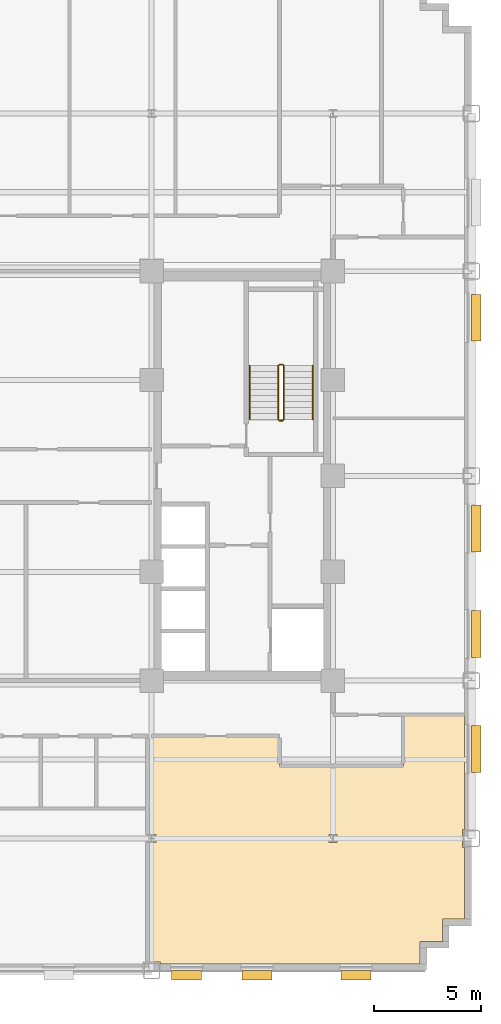
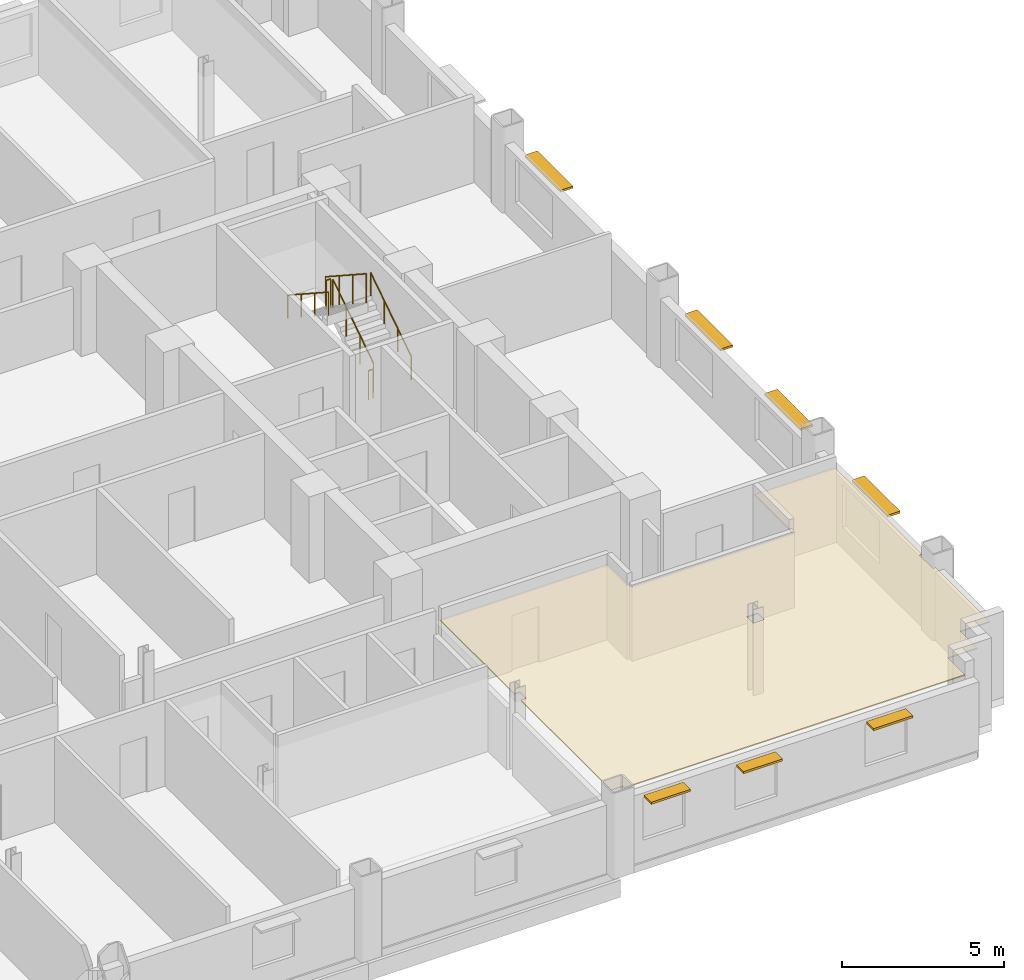
# One storey, part 13 of 14: 7 shading devices, 6 railings, 1 covering.
"""IFC4 building model written with IfcOpenShell, lengths in metres."""

from ifc_helpers import new_model, si_unit, direction, frame, origin, origin_2d, place, context, subcontext, project, spatial, polyline, rectangle, circle, outline, extrude, source, transform, mapped, material, layer, layer_set, type_object, type_shapes, element, save


model = new_model("IFC4")

# Units and contexts
model_context = context("Model", 3, precision=1e-05, world=origin(), true_north=direction((0.0, 1.0)))
body_context = subcontext(model_context, "Body", "Model", "MODEL_VIEW")
ifc_project = project(units=[si_unit("LENGTHUNIT", "METRE"), si_unit("AREAUNIT", "SQUARE_METRE"), si_unit("VOLUMEUNIT", "CUBIC_METRE"), si_unit("PLANEANGLEUNIT", "RADIAN"), si_unit("MASSUNIT", "GRAM", prefix="KILO")], contexts=[model_context])

# Site, building, storey
site_placement = place(None, origin())
site = spatial("IfcSite", under=ifc_project, at=site_placement, CompositionType="ELEMENT")
building_placement = place(site_placement, origin())
building = spatial("IfcBuilding", under=site, at=building_placement, Name="Nuvemarco Arch Tower", CompositionType="ELEMENT")
storey_placement = place(building_placement, frame((0.0, 0.0, 89.64990234375)))
storey = spatial("IfcBuildingStorey", under=building, at=storey_placement, Name="L23", CompositionType="ELEMENT", Elevation=89.64990234375)

# Covering
ifc_material_1 = material(Name="Mineral acoustic ceiling tile")
ifc_layer = layer(ifc_material_1, 0.0400390625, Name="COV-ACOUSTIC-CLG")
ifc_layer_set = layer_set([ifc_layer], Name="Mineral acoustic ceiling tile")
covering_type = type_object("IfcCoveringType", Name="COV-ACOUSTIC-CLG", PredefinedType="CEILING", material=ifc_layer_set)
covering_placement = place(storey_placement, frame((0.0, 0.0, 2.72998046875)))
element("IfcCovering", 1, at=covering_placement, inside=storey, type_object=covering_type, Name="L23 suspended acoustic ceiling 1", PredefinedType="CEILING", context=body_context, shape_type="SweptSolid", body=[
    extrude(outline(polyline([(21.580078125, -22.8798828125), (9.4150390625, -22.8798828125), (9.4150390625, -22.784912109375), (9.0, -22.784912109375), (9.0, -17.195068359375), (9.195068359375, -17.195068359375), (9.195068359375, -16.804931640625), (9.0, -16.804931640625), (9.0, -12.199951171875), (15.0, -12.199951171875), (15.0, -13.60009765625), (20.800048828125, -13.60009765625), (20.800048828125, -11.199951171875), (23.679931640625, -11.199951171875), (23.679931640625, -16.5849609375), (23.5849609375, -16.5849609375), (23.5849609375, -17.4150390625), (23.679931640625, -17.4150390625), (23.679931640625, -20.780029296875), (22.6298828125, -20.780029296875), (22.6298828125, -21.830078125), (21.580078125, -21.830078125), (21.580078125, -22.8798828125)]), holes=[polyline([(17.695068359375, -17.195068359375), (17.695068359375, -16.804931640625), (17.304931640625, -16.804931640625), (17.304931640625, -17.195068359375), (17.695068359375, -17.195068359375)])]), origin(), (0.0, 0.0, 1.0), 0.0400390625),
])

# Railings
ifc_material_2 = material(Name="Brushed stainless steel handrail", Category="steel")
railing_type_1 = type_object("IfcRailingType", Name="RL-HANDRAIL-900", PredefinedType="HANDRAIL", material=ifc_material_2)
railing_1_placement = place(storey_placement, frame((16.550048828125, 2.64990234375, 0.1826171875)))
element("IfcRailing", 2, at=railing_1_placement, inside=storey, type_object=railing_type_1, Name="L23 ST-2 stair handrail 1", PredefinedType="HANDRAIL", context=body_context, shape_type="SweptSolid", body=[
    extrude(circle(Radius=0.02392578125, at=origin_2d()), frame((0.0, 0.0, 0.8759765625), z_axis=(0.0, 0.837749427056, 0.546054848405), x_axis=(-1.0, 0.0, 0.0)), (0.0, 0.0, 1.0), 3.008056640625),
    extrude(circle(Radius=0.02099609375, at=origin_2d()), origin(), (0.0, 0.0, 1.0), 0.851806640625),
    extrude(circle(Radius=0.02099609375, at=origin_2d()), frame((0.0, 0.840087890625, 0.547607421875)), (0.0, 0.0, 1.0), 0.851806640625),
    extrude(circle(Radius=0.02099609375, at=origin_2d()), frame((0.0, 1.679931640625, 1.094970703125)), (0.0, 0.0, 1.0), 0.851806640625),
    extrude(circle(Radius=0.02099609375, at=origin_2d()), frame((0.0, 2.52001953125, 1.642578125)), (0.0, 0.0, 1.0), 0.851806640625),
])
railing_2_placement = place(storey_placement, frame((13.590087890625, 5.169921875, 2.007568359375)))
element("IfcRailing", 3, at=railing_2_placement, inside=storey, type_object=railing_type_1, Name="L23 ST-2 stair handrail 2", PredefinedType="HANDRAIL", context=body_context, shape_type="SweptSolid", body=[
    extrude(circle(Radius=0.02392578125, at=origin_2d()), frame((0.0, 0.0, 0.8759765625), z_axis=(0.0, -0.837749427056, 0.546054848405), x_axis=(1.0, 0.0, 0.0)), (0.0, 0.0, 1.0), 3.008056640625),
    extrude(circle(Radius=0.02099609375, at=origin_2d()), origin(), (0.0, 0.0, 1.0), 0.851806640625),
    extrude(circle(Radius=0.02099609375, at=origin_2d()), frame((0.0, -0.840087890625, 0.547607421875)), (0.0, 0.0, 1.0), 0.851806640625),
    extrude(circle(Radius=0.02099609375, at=origin_2d()), frame((0.0, -1.679931640625, 1.094970703125)), (0.0, 0.0, 1.0), 0.851806640625),
    extrude(circle(Radius=0.02099609375, at=origin_2d()), frame((0.0, -2.52001953125, 1.642578125)), (0.0, 0.0, 1.0), 0.851806640625),
])
ifc_material_3 = material(Name="Painted balustrade steel S355", Category="steel")
railing_type_2 = type_object("IfcRailingType", Name="RL-STAIR-GUARD", PredefinedType="GUARDRAIL", material=ifc_material_3)
railing_3_placement = place(storey_placement, frame((15.199951171875, 2.64990234375, 0.1826171875)))
element("IfcRailing", 4, at=railing_3_placement, inside=storey, type_object=railing_type_2, Name="L23 ST-2 stair guard 1", PredefinedType="GUARDRAIL", context=body_context, shape_type="SweptSolid", body=[
    extrude(circle(Radius=0.02392578125, at=origin_2d()), frame((0.0, 0.0, 1.09619140625), z_axis=(0.0, 0.837749427056, 0.546054848405), x_axis=(-1.0, 0.0, 0.0)), (0.0, 0.0, 1.0), 3.008056640625),
    extrude(circle(Radius=0.02099609375, at=origin_2d()), origin(), (0.0, 0.0, 1.0), 1.072021484375),
    extrude(circle(Radius=0.02099609375, at=origin_2d()), frame((0.0, 0.840087890625, 0.547607421875)), (0.0, 0.0, 1.0), 1.072021484375),
    extrude(circle(Radius=0.02099609375, at=origin_2d()), frame((0.0, 1.679931640625, 1.094970703125)), (0.0, 0.0, 1.0), 1.072021484375),
    extrude(circle(Radius=0.02099609375, at=origin_2d()), frame((0.0, 2.52001953125, 1.642578125)), (0.0, 0.0, 1.0), 1.072021484375),
])
railing_4_placement = place(storey_placement, frame((15.14990234375, 5.219970703125, 1.8251953125)))
element("IfcRailing", 5, at=railing_4_placement, inside=storey, type_object=railing_type_2, Name="L23 ST-2 stair guard 2", PredefinedType="GUARDRAIL", context=body_context, shape_type="SweptSolid", body=[
    extrude(circle(Radius=0.02392578125, at=origin_2d()), frame((0.0, 0.0, 1.09619140625), z_axis=(-1.0, 0.0, 0.0), x_axis=(0.0, -1.0, 0.0)), (0.0, 0.0, 1.0), 0.159912109375),
    extrude(circle(Radius=0.02099609375, at=origin_2d()), origin(), (0.0, 0.0, 1.0), 1.072021484375),
    extrude(circle(Radius=0.02099609375, at=origin_2d()), frame((-0.159912109375, 0.0, 0.0)), (0.0, 0.0, 1.0), 1.072021484375),
])
railing_5_placement = place(storey_placement, frame((14.93994140625, 5.169921875, 2.007568359375)))
element("IfcRailing", 6, at=railing_5_placement, inside=storey, type_object=railing_type_2, Name="L23 ST-2 stair guard 3", PredefinedType="GUARDRAIL", context=body_context, shape_type="SweptSolid", body=[
    extrude(circle(Radius=0.02392578125, at=origin_2d()), frame((0.0, 0.0, 1.09619140625), z_axis=(0.0, -0.837749427056, 0.546054848405), x_axis=(1.0, 0.0, 0.0)), (0.0, 0.0, 1.0), 3.008056640625),
    extrude(circle(Radius=0.02099609375, at=origin_2d()), origin(), (0.0, 0.0, 1.0), 1.072021484375),
    extrude(circle(Radius=0.02099609375, at=origin_2d()), frame((0.0, -0.840087890625, 0.547607421875)), (0.0, 0.0, 1.0), 1.072021484375),
    extrude(circle(Radius=0.02099609375, at=origin_2d()), frame((0.0, -1.679931640625, 1.094970703125)), (0.0, 0.0, 1.0), 1.072021484375),
    extrude(circle(Radius=0.02099609375, at=origin_2d()), frame((0.0, -2.52001953125, 1.642578125)), (0.0, 0.0, 1.0), 1.072021484375),
])
railing_6_placement = place(storey_placement, frame((15.14990234375, 2.60009765625, 0.0)))
element("IfcRailing", 7, at=railing_6_placement, inside=storey, type_object=railing_type_2, Name="L23 ST-2 stair guard 4", PredefinedType="GUARDRAIL", context=body_context, shape_type="SweptSolid", body=[
    extrude(circle(Radius=0.02392578125, at=origin_2d()), frame((0.0, 0.0, 1.09619140625), z_axis=(-1.0, 0.0, 0.0), x_axis=(0.0, -1.0, 0.0)), (0.0, 0.0, 1.0), 0.159912109375),
    extrude(circle(Radius=0.02099609375, at=origin_2d()), origin(), (0.0, 0.0, 1.0), 1.072021484375),
    extrude(circle(Radius=0.02099609375, at=origin_2d()), frame((-0.159912109375, 0.0, 0.0)), (0.0, 0.0, 1.0), 1.072021484375),
])

# Shading devices
ifc_material_4 = material(Name="Anodised aluminium 6063-T6", Category="aluminium")
shading_device_type_1 = type_object("IfcShadingDeviceType", Name="SHD-BRISE-SOLEIL", PredefinedType="USERDEFINED", material=ifc_material_4)
shared_shape_1 = source(origin(), body_context, "Body", "SweptSolid", [
    extrude(rectangle(XDim=2.199951171875, YDim=0.449951171875, at=origin_2d()), origin(), (0.0, 0.0, 1.0), 0.080078125),
])
type_shapes(shading_device_type_1, [shared_shape_1])
for number, where, z_axis, x_axis, name in (
    (8, (24.215087890625, -12.81494140625, 2.425048828125), (0.0, 0.0, 1.0), (0.0, 1.0, 0.0), "L23 horizontal brise-soleil sunshade"),
    (9, (24.215087890625, -7.4189453125, 2.425048828125), (0.0, 0.0, 1.0), (0.0, 1.0, 0.0), "L23 horizontal brise-soleil sunshade"),
    (10, (24.215087890625, -2.472900390625, 2.425048828125), (0.0, 0.0, 1.0), (0.0, 1.0, 0.0), "L23 horizontal brise-soleil sunshade"),
    (11, (24.215087890625, 7.4189453125, 2.425048828125), (0.0, 0.0, 1.0), (0.0, 1.0, 0.0), "L23 horizontal brise-soleil sunshade"),
):
    element("IfcShadingDevice", number, at=place(storey_placement, frame(where, z_axis=z_axis, x_axis=x_axis)), inside=storey, type_object=shading_device_type_1, Name=name, ObjectType="SUNSHADE", PredefinedType="USERDEFINED", context=body_context, shape_type="MappedRepresentation", body=[
        mapped(shared_shape_1, transform((0.0, 0.0, 0.0), scale=1.0)),
    ])
shading_device_type_2 = type_object("IfcShadingDeviceType", Name="SHD-BRISE-NARROW", PredefinedType="USERDEFINED", material=ifc_material_4)
shared_shape_2 = source(origin(), body_context, "Body", "SweptSolid", [
    extrude(rectangle(XDim=1.39990234375, YDim=0.449951171875, at=origin_2d()), origin(), (0.0, 0.0, 1.0), 0.080078125),
])
type_shapes(shading_device_type_2, [shared_shape_2])
for number, where, z_axis, x_axis, name in (
    (12, (10.638916015625, -23.4150390625, 2.405029296875), (0.0, 0.0, 1.0), (1.0, 0.0, 0.0), "L23 horizontal brise-soleil sunshade"),
    (13, (13.933349609375, -23.4150390625, 2.405029296875), (0.0, 0.0, 1.0), (1.0, 0.0, 0.0), "L23 horizontal brise-soleil sunshade"),
    (14, (18.577880859375, -23.4150390625, 2.405029296875), (0.0, 0.0, 1.0), (1.0, 0.0, 0.0), "L23 horizontal brise-soleil sunshade"),
):
    element("IfcShadingDevice", number, at=place(storey_placement, frame(where, z_axis=z_axis, x_axis=x_axis)), inside=storey, type_object=shading_device_type_2, Name=name, ObjectType="SUNSHADE", PredefinedType="USERDEFINED", context=body_context, shape_type="MappedRepresentation", body=[
        mapped(shared_shape_2, transform((0.0, 0.0, 0.0), scale=1.0)),
    ])

save(model, "model.ifc")
